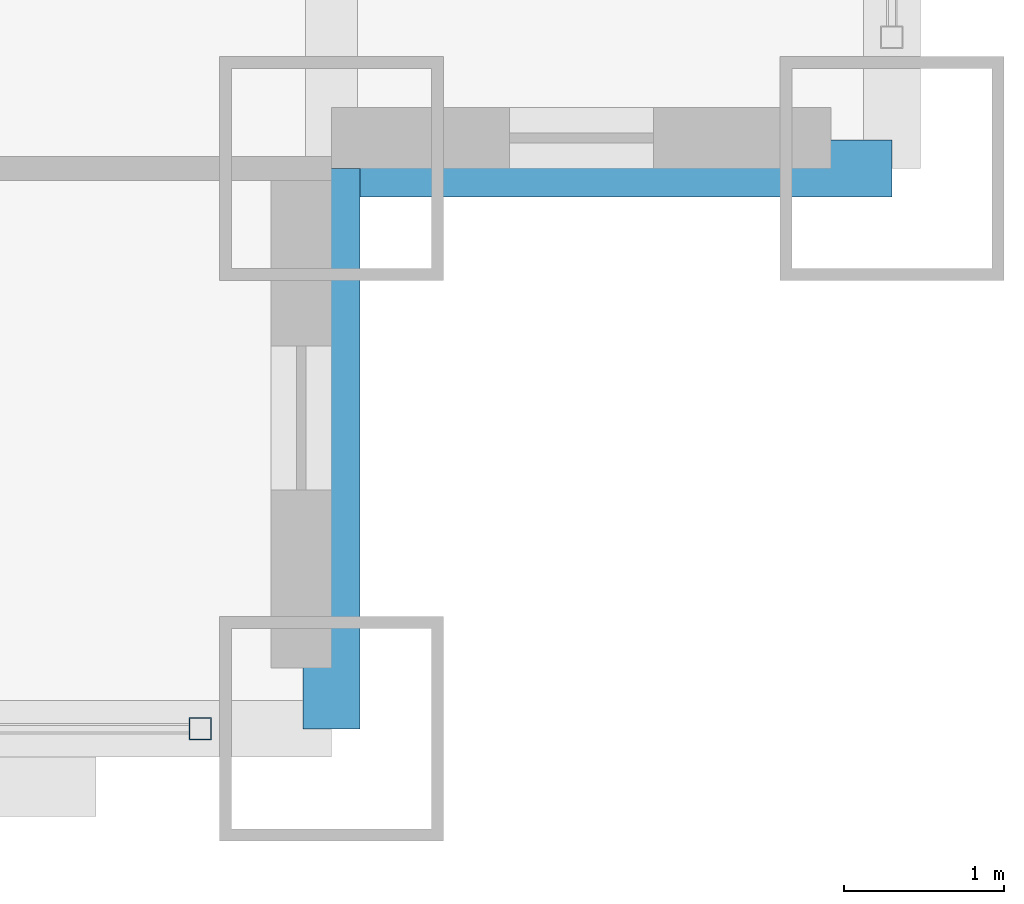
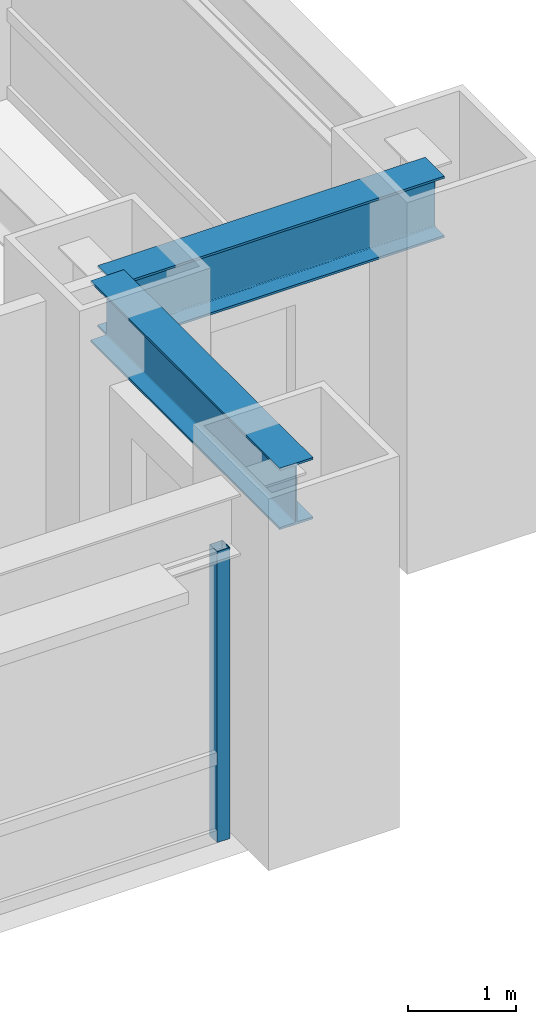
# One storey, part 6 of 32: 2 beams, 1 member, 1 element without a shape of its own.
"""IFC4 building model written with IfcOpenShell, lengths in metres."""

from ifc_helpers import new_model, si_unit, direction, frame, origin, origin_2d, place, context, subcontext, project, spatial, hollow_rectangle, i_section, extrude, source, transform, mapped, material, material_profile, profile_set, type_object, element, aggregate, save


model = new_model("IFC4")

# Units and contexts
model_context = context("Model", 3, precision=1e-05, world=origin(), true_north=direction((0.0, 1.0)))
body_context = subcontext(model_context, "Body", "Model", "MODEL_VIEW")
ifc_project = project(units=[si_unit("LENGTHUNIT", "METRE"), si_unit("AREAUNIT", "SQUARE_METRE"), si_unit("VOLUMEUNIT", "CUBIC_METRE"), si_unit("PLANEANGLEUNIT", "RADIAN"), si_unit("MASSUNIT", "GRAM", prefix="KILO")], contexts=[model_context])

# Site, building, storey
site_placement = place(None, origin())
site = spatial("IfcSite", under=ifc_project, at=site_placement, CompositionType="ELEMENT")
building_placement = place(site_placement, origin())
building = spatial("IfcBuilding", under=site, at=building_placement, Name="Khorayat Bourse Tower", CompositionType="ELEMENT")
storey_placement = place(building_placement, frame((0.0, 0.0, 70.39990234375)))
storey = spatial("IfcBuildingStorey", under=building, at=storey_placement, Name="L15", CompositionType="ELEMENT", Elevation=70.39990234375)

# Beams
ifc_material_1 = material(Name="Steel ASTM A992 Grade 50", Category="steel")
ifc_material_profile_1 = material_profile(ifc_material_1, i_section(OverallWidth=0.35498046875, OverallDepth=0.695068359375, WebThickness=0.015380859375, FlangeThickness=0.02490234375, FilletRadius=0.01806640625, at=origin_2d()), Name="W690X217")
ifc_profile_set_1 = profile_set([ifc_material_profile_1], Name="Steel ASTM A992 Grade 50")
beam_type = type_object("IfcBeamType", Name="BM-SPAN-690", PredefinedType="SPANDREL", material=ifc_profile_set_1)
shared_shape_1 = source(origin(), body_context, "Body", "SweptSolid", [
    extrude(i_section(OverallWidth=0.35498046875, OverallDepth=0.695068359375, WebThickness=0.015380859375, FlangeThickness=0.02490234375, FilletRadius=0.01806640625, at=origin_2d()), origin(), (0.0, 0.0, 1.0), 3.5),
])
for number, where, z_axis, x_axis, name in (
    (1, (28.5, -32.0, 3.592529296875), (0.0, 1.0, 0.0), (-1.0, 0.0, 0.0), "L15 BM-SPAN-690 BM-L15-SPN-032"),
    (2, (28.5, -28.5, 3.592529296875), (1.0, 0.0, 0.0), (0.0, 1.0, 0.0), "L15 BM-SPAN-690 BM-L15-SPN-033"),
):
    element("IfcBeam", number, at=place(storey_placement, frame(where, z_axis=z_axis, x_axis=x_axis)), inside=storey, type_object=beam_type, Name=name, PredefinedType="SPANDREL", context=body_context, shape_type="MappedRepresentation", body=[
        mapped(shared_shape_1, transform((0.0, 0.0, 0.0), scale=1.0)),
    ])

# Curtain wall, member
ifc_material_2 = material(Name="Aluminium EN AW-6063 T6", Category="aluminium")
curtain_wall_type = type_object("IfcCurtainWallType", Name="CW-SYS-02", PredefinedType="NOTDEFINED", material=ifc_material_2)
curtain_wall_placement = place(storey_placement, origin())
curtain_wall = element("IfcCurtainWall", 3, at=curtain_wall_placement, inside=storey, type_object=curtain_wall_type, Name="L15 Curtain Wall CW-L15-S1", PredefinedType="NOTDEFINED")
ifc_material_profile_2 = material_profile(ifc_material_2, hollow_rectangle(XDim=0.139892578125, YDim=0.139892578125, WallThickness=0.006103515625, at=origin_2d()), Name="ALU 140x140x6")
ifc_profile_set_2 = profile_set([ifc_material_profile_2], Name="Aluminium EN AW-6063 T6")
member_type = type_object("IfcMemberType", Name="CWM-VERT-140", PredefinedType="MULLION", material=ifc_profile_set_2)
shared_shape_2 = source(origin(), body_context, "Body", "SweptSolid", [
    extrude(hollow_rectangle(XDim=0.139892578125, YDim=0.139892578125, WallThickness=0.006103515625, at=origin_2d()), origin(), (0.0, 0.0, 1.0), 3.2900390625),
])
member_placement = place(storey_placement, frame((27.679931640625, -32.0, 0.0), z_axis=(0.0, 0.0, 1.0), x_axis=(0.0, 1.0, 0.0)))
member = element("IfcMember", 4, at=member_placement, type_object=member_type, Name="CW-L15-S1 Vertical Mullion 3", PredefinedType="MULLION", context=body_context, shape_type="MappedRepresentation", body=[
    mapped(shared_shape_2, transform((0.0, 0.0, 0.0), scale=1.0)),
])
aggregate(curtain_wall, [member])

save(model, "model.ifc")
